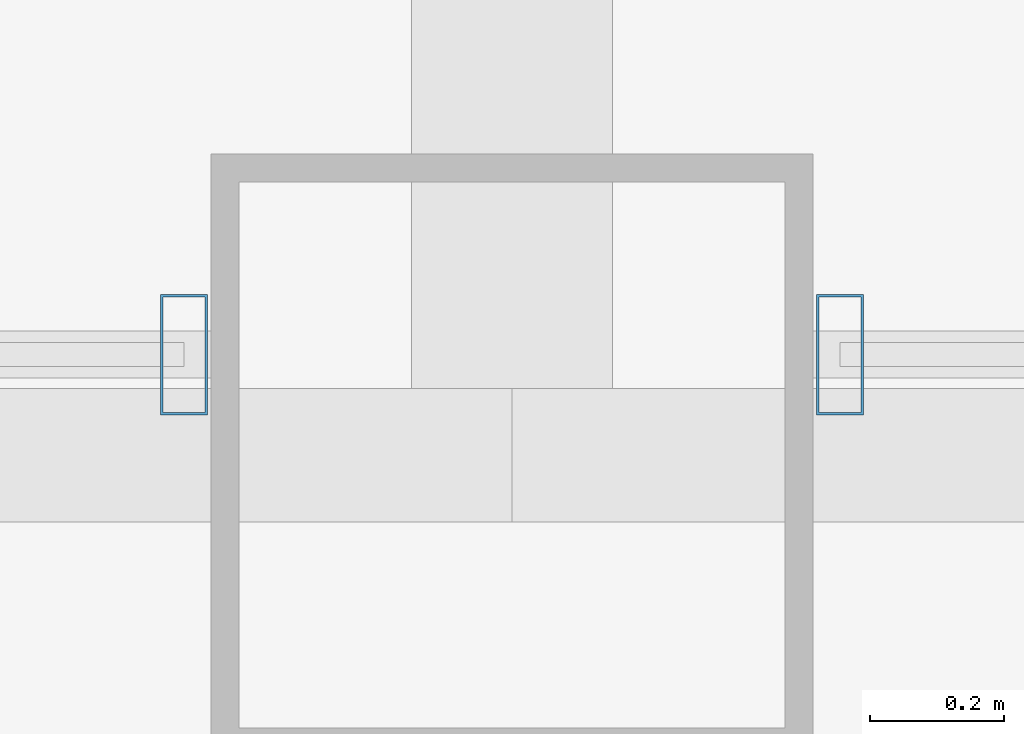
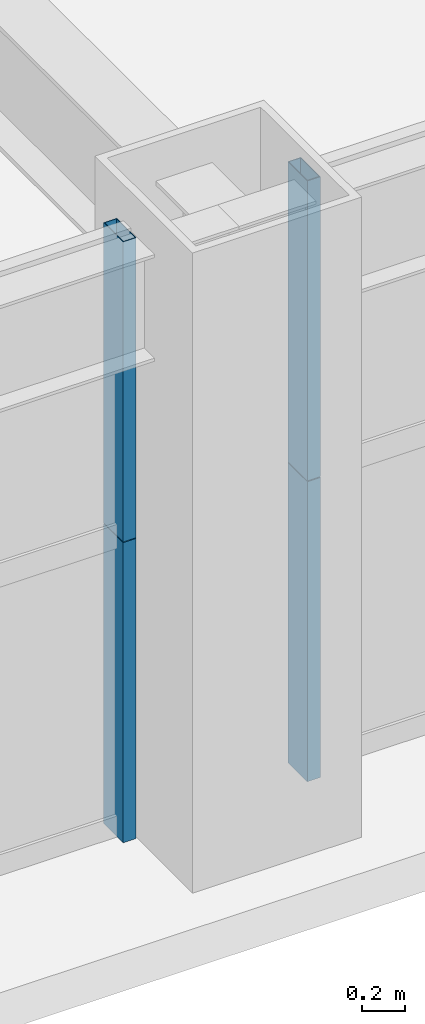
# One storey, part 10 of 39: 4 members, 2 elements without a shape of their own.
"""IFC4 building model written with IfcOpenShell, lengths in metres."""

from ifc_helpers import new_model, si_unit, direction, frame, origin, origin_2d, place, context, subcontext, project, spatial, hollow_rectangle, extrude, source, transform, mapped, material, layer, layer_set, material_profile, profile_set, type_object, element, aggregate, save


model = new_model("IFC4")

# Units and contexts
model_context = context("Model", 3, precision=1e-05, world=origin(), true_north=direction((0.0, 1.0)))
body_context = subcontext(model_context, "Body", "Model", "MODEL_VIEW")
ifc_project = project(units=[si_unit("LENGTHUNIT", "METRE"), si_unit("AREAUNIT", "SQUARE_METRE"), si_unit("VOLUMEUNIT", "CUBIC_METRE"), si_unit("PLANEANGLEUNIT", "RADIAN"), si_unit("MASSUNIT", "GRAM", prefix="KILO"), si_unit("THERMODYNAMICTEMPERATUREUNIT", "KELVIN"), si_unit("POWERUNIT", "WATT")], contexts=[model_context])

# Site, building, storey
site_placement = place(None, origin())
site = spatial("IfcSite", under=ifc_project, at=site_placement, CompositionType="ELEMENT")
building_placement = place(site_placement, origin())
building = spatial("IfcBuilding", under=site, at=building_placement, Name="Yuzanri Waterfront Tower", CompositionType="ELEMENT")
storey_placement = place(building_placement, frame((0.0, 0.0, 134.39990234375)))
storey = spatial("IfcBuildingStorey", under=building, at=storey_placement, Name="L35", CompositionType="ELEMENT", Elevation=134.39990234375)

# Curtain wall, members
ifc_material_1 = material(Name="Anodized Architectural Bronze", Category="metal")
ifc_layer = layer(ifc_material_1, 0.159912109375)
ifc_layer_set = layer_set([ifc_layer], Name="Anodized Architectural Bronze")
curtain_wall_type = type_object("IfcCurtainWallType", Name="Anodized Bronze Hotel Upper-Tier Solar-Control Unitized Curtain Wall 7800", PredefinedType="NOTDEFINED", material=ifc_layer_set)
curtain_wall_1_placement = place(storey_placement, origin())
curtain_wall_1 = element("IfcCurtainWall", 1, at=curtain_wall_1_placement, inside=storey, type_object=curtain_wall_type, Name="L35 Curtain Wall CW-L35-SL", PredefinedType="NOTDEFINED")
ifc_material_2 = material(Name="Anodized Architectural Bronze", Category="metal")
ifc_material_profile = material_profile(ifc_material_2, hollow_rectangle(XDim=0.070068359375, YDim=0.179931640625, WallThickness=0.00390625, at=origin_2d()), Name="CWM 70x180")
ifc_profile_set = profile_set([ifc_material_profile], Name="Anodized Architectural Bronze")
member_type = type_object("IfcMemberType", Name="Anodized Bronze Standard Curtain-Wall Mullion 70x180", PredefinedType="MULLION", material=ifc_profile_set)
shared_shape = source(origin(), body_context, "Body", "SweptSolid", [
    extrude(hollow_rectangle(XDim=0.070068359375, YDim=0.179931640625, WallThickness=0.00390625, at=origin_2d()), origin(), (0.0, 0.0, 1.0), 1.68798828125),
])
member_1_placement = place(storey_placement, frame((36.510009765625, 2.35009765625, 0.0), z_axis=(0.0, 0.0, 1.0), x_axis=(1.0, 0.0, 0.0)))
member_1 = element("IfcMember", 2, at=member_1_placement, type_object=member_type, Name="CW-L35-SL Lower Mullion 02", PredefinedType="MULLION", context=body_context, shape_type="MappedRepresentation", body=[
    mapped(shared_shape, transform((0.0, 0.0, 0.0), scale=1.0)),
])
member_2_placement = place(storey_placement, frame((36.510009765625, 2.35009765625, 1.692138671875), z_axis=(0.0, 0.0, 1.0), x_axis=(1.0, 0.0, 0.0)))
member_2 = element("IfcMember", 3, at=member_2_placement, type_object=member_type, Name="CW-L35-SL Upper Mullion 02", PredefinedType="MULLION", context=body_context, shape_type="MappedRepresentation", body=[
    mapped(shared_shape, transform((0.0, 0.0, 0.0), scale=1.0)),
])
aggregate(curtain_wall_1, [member_1, member_2])

curtain_wall_2_placement = place(storey_placement, origin())
curtain_wall_2 = element("IfcCurtainWall", 4, at=curtain_wall_2_placement, inside=storey, type_object=curtain_wall_type, Name="L35 Curtain Wall CW-L35-SR", PredefinedType="NOTDEFINED")
member_3_placement = place(storey_placement, frame((37.489990234375, 2.35009765625, 0.0), z_axis=(0.0, 0.0, 1.0), x_axis=(1.0, 0.0, 0.0)))
member_3 = element("IfcMember", 5, at=member_3_placement, type_object=member_type, Name="CW-L35-SR Lower Mullion 00", PredefinedType="MULLION", context=body_context, shape_type="MappedRepresentation", body=[
    mapped(shared_shape, transform((0.0, 0.0, 0.0), scale=1.0)),
])
member_4_placement = place(storey_placement, frame((37.489990234375, 2.35009765625, 1.692138671875), z_axis=(0.0, 0.0, 1.0), x_axis=(1.0, 0.0, 0.0)))
member_4 = element("IfcMember", 6, at=member_4_placement, type_object=member_type, Name="CW-L35-SR Upper Mullion 00", PredefinedType="MULLION", context=body_context, shape_type="MappedRepresentation", body=[
    mapped(shared_shape, transform((0.0, 0.0, 0.0), scale=1.0)),
])
aggregate(curtain_wall_2, [member_3, member_4])

save(model, "model.ifc")
